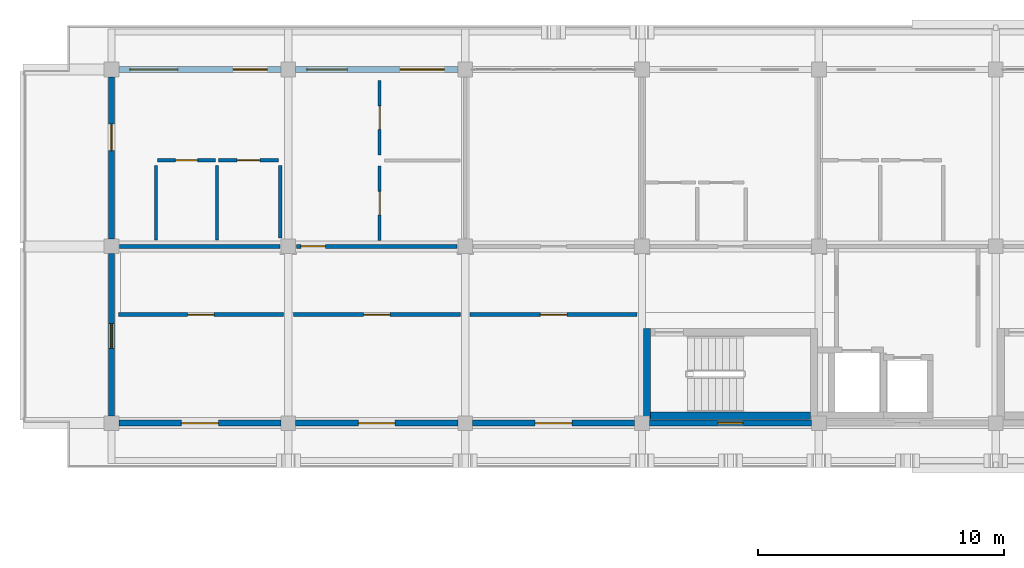
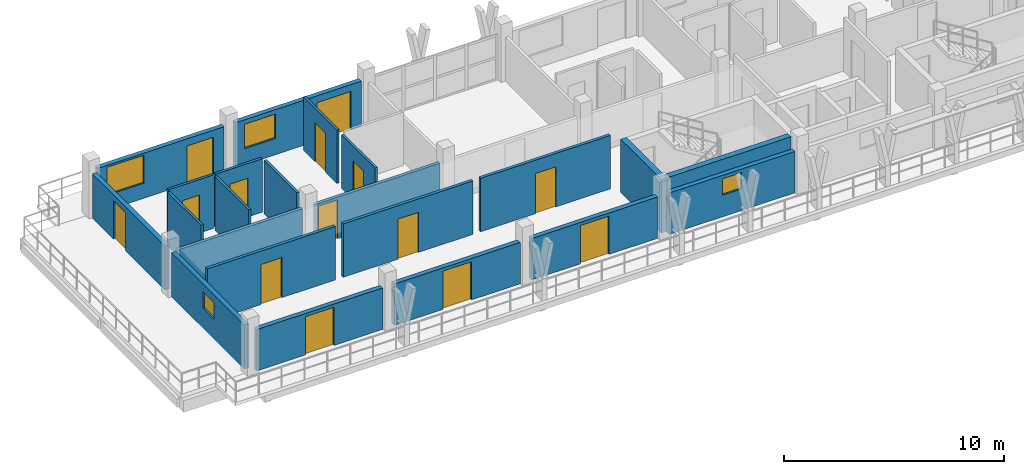
# One storey, part 32 of 56: 22 walls, 14 doors, 4 windows, 18 openings.
"""IFC4 building model written with IfcOpenShell, lengths in metres."""

import ifcopenshell
import ifcopenshell.guid

model = None  # the IFC model being written
_history = None  # IfcOwnerHistory: only IFC2X3 demands one
_inside = {}  # id of a spatial element -> (the spatial element, [elements in it])
_under = {}  # id of a project, library or spatial element -> (it, [spatial elements below it])
_declared = {}  # id of a project -> (the project, [libraries it declares])
_typed = {}  # id of a type object -> (the type object, [elements of that type])
_made_of = {}  # id of a material, layer set ... -> (it, [elements and type objects made of it])


def new_model(schema):
    """Start an empty IFC model of exactly this schema.

    Asked for "IFC4X3", IfcOpenShell would pick the latest addendum, in which some entities
    have other attributes; the version numbers below select the first issue.
    IFC2X3 requires an IfcOwnerHistory on every rooted entity: one is made here for all.
    """
    global model, _history
    if schema == "IFC4X3":
        model = ifcopenshell.file(schema_version=(4, 3, 0, 0))
    else:
        model = ifcopenshell.file(schema=schema)
    _inside.clear()
    _under.clear()
    _declared.clear()
    _typed.clear()
    _made_of.clear()
    _history = None
    if model.schema == "IFC2X3":
        org = make("IfcOrganization", Name="unknown")
        user = make(
            "IfcPersonAndOrganization",
            ThePerson=make("IfcPerson", FamilyName="unknown"),
            TheOrganization=org,
        )
        app = make(
            "IfcApplication",
            ApplicationDeveloper=org,
            Version="unknown",
            ApplicationFullName="unknown",
            ApplicationIdentifier="unknown",
        )
        _history = make(
            "IfcOwnerHistory",
            OwningUser=user,
            OwningApplication=app,
            ChangeAction="ADDED",
            CreationDate=0,
        )
    return model


def make(cls, **values):
    """One entity of the class cls with the attributes given. An attribute that is None is left unset."""
    return model.create_entity(
        cls, **{name: value for name, value in values.items() if value is not None}
    )


def rooted(cls, **values):
    """An entity with a GlobalId (a new one), such as an element, a storey or a relation."""
    return make(cls, GlobalId=ifcopenshell.guid.new(), OwnerHistory=_history, **values)


def si_unit(unit_type, name, prefix=None):
    """IfcSIUnit, for example si_unit("LENGTHUNIT", "METRE", prefix="MILLI")."""
    return make("IfcSIUnit", UnitType=unit_type, Prefix=prefix, Name=name)


def assignment(units):
    """IfcUnitAssignment: the units of a project."""
    return None if units is None else make("IfcUnitAssignment", Units=units)


def point(xyz):
    """IfcCartesianPoint."""
    return None if xyz is None else make("IfcCartesianPoint", Coordinates=xyz)


def direction(xyz):
    """IfcDirection."""
    return None if xyz is None else make("IfcDirection", DirectionRatios=xyz)


def frame(location, z_axis=None, x_axis=None):
    """IfcAxis2Placement3D, a coordinate frame: its origin and axes. An axis left out is left unset."""
    return make(
        "IfcAxis2Placement3D",
        Location=point(location),
        Axis=direction(z_axis),
        RefDirection=direction(x_axis),
    )


def frame_2d(location, x_axis=None):
    """IfcAxis2Placement2D, a coordinate frame in the plane: its origin and x axis."""
    return make(
        "IfcAxis2Placement2D", Location=point(location), RefDirection=direction(x_axis)
    )


def origin():
    """The frame at (0, 0, 0) with its axes left unset."""
    return frame((0.0, 0.0, 0.0))


def place(relative_to, where):
    """IfcLocalPlacement: puts the frame where relative to a parent placement (None: the world)."""
    return make(
        "IfcLocalPlacement", PlacementRelTo=relative_to, RelativePlacement=where
    )


def context(
    kind, dimensions, precision=None, world=None, true_north=None, identifier=None
):
    """IfcGeometricRepresentationContext, for example the 3D "Model" context."""
    return make(
        "IfcGeometricRepresentationContext",
        ContextIdentifier=identifier,
        ContextType=kind,
        CoordinateSpaceDimension=dimensions,
        Precision=precision,
        WorldCoordinateSystem=world,
        TrueNorth=true_north,
    )


def subcontext(parent, identifier, kind, view, scale=None):
    """IfcGeometricRepresentationSubContext, for example "Body" below "Model"."""
    return make(
        "IfcGeometricRepresentationSubContext",
        ContextIdentifier=identifier,
        ContextType=kind,
        ParentContext=parent,
        TargetScale=scale,
        TargetView=view,
    )


def project(units=None, contexts=None):
    """IfcProject with its units and contexts."""
    return rooted(
        "IfcProject",
        Name="project",
        RepresentationContexts=contexts,
        UnitsInContext=assignment(units),
    )


def spatial(cls, under=None, at=None, **own):
    """A site, building, storey or space (cls), placed at a placement, below another one or the project."""
    s = rooted(cls, ObjectPlacement=at, **own)
    if under is not None:
        _under.setdefault(under.id(), (under, []))[1].append(s)
    return s


def profile(cls, at=None, kind="AREA", **sizes):
    """A parametric profile (cls). Its sizes go by their IFC names, for example OverallWidth=200.0."""
    return make(cls, ProfileType=kind, Position=at, **sizes)


def rectangle(**sizes):
    """IfcRectangleProfileDef."""
    return profile("IfcRectangleProfileDef", **sizes)


def extrude(swept, where, along, depth):
    """IfcExtrudedAreaSolid: the profile swept, set in the frame where, extruded along a direction by depth."""
    return make(
        "IfcExtrudedAreaSolid",
        SweptArea=swept,
        Position=where,
        ExtrudedDirection=direction(along),
        Depth=depth,
    )


def shape(context_of_items, identifier, shape_type, items):
    """IfcShapeRepresentation: the items that make up one representation, for example the "Body"."""
    return make(
        "IfcShapeRepresentation",
        ContextOfItems=context_of_items,
        RepresentationIdentifier=identifier,
        RepresentationType=shape_type,
        Items=items,
    )


def material(Name=None, Category=None):
    """IfcMaterial."""
    return make("IfcMaterial", Name=Name, Category=Category)


def layer(
    of_material, thickness, ventilated=None, Name=None, Category=None, Priority=None
):
    """IfcMaterialLayer: one layer of a wall or slab, of a material (None: an air gap)."""
    return make(
        "IfcMaterialLayer",
        Material=of_material,
        LayerThickness=thickness,
        IsVentilated=ventilated,
        Name=Name,
        Category=Category,
        Priority=Priority,
    )


def layer_set(layers, Name=None):
    """IfcMaterialLayerSet."""
    return make("IfcMaterialLayerSet", MaterialLayers=layers, LayerSetName=Name)


def made_of(thing, what):
    """Note that an element or type object is made of a material, layer set ...; save() writes the relation."""
    if what is not None:
        _made_of.setdefault(what.id(), (what, []))[1].append(thing)
    return thing


def type_object(cls, material=None, **own):
    """A type object (cls), such as IfcWallType, which elements share."""
    return made_of(rooted(cls, **own), material)


def element(
    cls,
    number,
    at=None,
    inside=None,
    cuts=None,
    type_object=None,
    material=None,
    context=None,
    identifier="Body",
    shape_type=None,
    held_by="IfcProductDefinitionShape",
    body=None,
    shapes=None,
    **own,
):
    """One element of the class cls, such as IfcWall. Its Tag is "e" and its number.

    at: its placement. inside: the storey or other place that contains it. cuts: it is an
    opening in that element (IfcRelVoidsElement). A single representation is given by context,
    identifier, shape_type and body (its items); several are given by shapes. held_by: the class
    of the entity that holds the representations. save() writes the other relations.
    """
    e = rooted(cls, Tag="e%d" % number, ObjectPlacement=at, **own)
    if body is not None:
        shapes = [shape(context, identifier, shape_type, body)]
    if shapes is not None:
        e.Representation = make(held_by, Representations=shapes)
    if inside is not None:
        _inside.setdefault(inside.id(), (inside, []))[1].append(e)
    if cuts is not None:
        rooted(
            "IfcRelVoidsElement", RelatingBuildingElement=cuts, RelatedOpeningElement=e
        )
    if type_object is not None:
        _typed.setdefault(type_object.id(), (type_object, []))[1].append(e)
    return made_of(e, material)


def fill(opening, filler):
    """IfcRelFillsElement: the door or window that sits in an opening."""
    return rooted(
        "IfcRelFillsElement",
        RelatingOpeningElement=opening,
        RelatedBuildingElement=filler,
    )


def aggregate(whole, parts):
    """IfcRelAggregates: a whole, such as a stair, and the parts it consists of."""
    return rooted("IfcRelAggregates", RelatingObject=whole, RelatedObjects=parts)


def save(model, path):
    """Write the relations noted so far, then the file.

    IfcRelAggregates (storeys below a building ...), IfcRelContainedInSpatialStructure (elements
    in a storey), IfcRelDefinesByType, IfcRelAssociatesMaterial and IfcRelDeclares: one each for
    every whole, place, type object, material and project.
    """
    for whole, parts in _under.values():
        aggregate(whole, parts)
    for where, things in _inside.values():
        rooted(
            "IfcRelContainedInSpatialStructure",
            RelatedElements=things,
            RelatingStructure=where,
        )
    for kind, things in _typed.values():
        rooted("IfcRelDefinesByType", RelatedObjects=things, RelatingType=kind)
    for what, things in _made_of.values():
        rooted("IfcRelAssociatesMaterial", RelatedObjects=things, RelatingMaterial=what)
    for by, libraries in _declared.values():
        rooted("IfcRelDeclares", RelatingContext=by, RelatedDefinitions=libraries)
    model.write(path)


model = new_model("IFC4")

# Units and contexts
model_context = context("Model", 3, precision=1e-05, world=origin(), true_north=direction((0.0, 1.0)))
body_context = subcontext(model_context, "Body", "Model", "MODEL_VIEW")
ifc_project = project(units=[si_unit("LENGTHUNIT", "METRE"), si_unit("AREAUNIT", "SQUARE_METRE"), si_unit("VOLUMEUNIT", "CUBIC_METRE"), si_unit("PLANEANGLEUNIT", "RADIAN"), si_unit("MASSUNIT", "GRAM", prefix="KILO")], contexts=[model_context])

# Site, building, storey
site_placement = place(None, origin())
site = spatial("IfcSite", under=ifc_project, at=site_placement, CompositionType="ELEMENT")
building_placement = place(site_placement, origin())
building = spatial("IfcBuilding", under=site, at=building_placement, Name="Suanplinth Sawtooth Commons", CompositionType="ELEMENT")
storey_placement = place(building_placement, frame((0.0, 0.0, 34.800048828125)))
storey = spatial("IfcBuildingStorey", under=building, at=storey_placement, Name="L10", CompositionType="ELEMENT", Elevation=34.800048828125)

# Walls
ifc_material_1 = material(Name="Concrete C40/50", Category="concrete")
ifc_layer_1 = layer(ifc_material_1, 0.300048828125, Name="Standard RC stair and lift core wall 300mm")
ifc_layer_set_1 = layer_set([ifc_layer_1], Name="Concrete C40/50")
wall_type_1 = type_object("IfcWallType", Name="W-CR02", PredefinedType="SHEAR", material=ifc_layer_set_1)
wall_1_placement = place(storey_placement, frame((43.550048828125, 108.300048828125, 0.0), z_axis=(0.0, 0.0, 1.0), x_axis=(1.0, 0.0, 0.0)))
element("IfcWall", 1, at=wall_1_placement, inside=storey, type_object=wall_type_1, Name="W-L10-C-A1-STS", PredefinedType="SHEAR", context=body_context, shape_type="SweptSolid", body=[
    extrude(rectangle(XDim=6.5, YDim=0.300048828125, at=frame_2d((3.25, 0.0))), origin(), (0.0, 0.0, 1.0), 2.9599609375),
])
wall_2_placement = place(storey_placement, frame((43.39990234375, 108.14990234375, 0.0), z_axis=(0.0, 0.0, 1.0), x_axis=(0.0, 1.0, 0.0)))
element("IfcWall", 2, at=wall_2_placement, inside=storey, type_object=wall_type_1, Name="W-L10-C-A1-STW", PredefinedType="SHEAR", context=body_context, shape_type="SweptSolid", body=[
    extrude(rectangle(XDim=3.7001953125, YDim=0.300048828125, at=frame_2d((1.85009765625, 0.0))), origin(), (0.0, 0.0, 1.0), 2.9599609375),
])

# Wall, openings, door, window
ifc_material_2 = material(Name="Precast concrete C40/50", Category="concrete")
ifc_layer_2 = layer(ifc_material_2, 0.239990234375, Name="Upper insulated precast facade wall 240mm")
ifc_layer_set_2 = layer_set([ifc_layer_2], Name="Precast concrete C40/50")
wall_type_2 = type_object("IfcWallType", Name="W-EX03", PredefinedType="ELEMENTEDWALL", material=ifc_layer_set_2)
wall_3_placement = place(storey_placement, frame((21.89990234375, 122.39990234375, 0.0), z_axis=(0.0, 0.0, 1.0), x_axis=(1.0, 0.0, 0.0)))
wall_3 = element("IfcWall", 3, at=wall_3_placement, inside=storey, type_object=wall_type_2, Name="Facade Wall W-L10-A-N-0", PredefinedType="ELEMENTEDWALL", context=body_context, shape_type="SweptSolid", body=[
    extrude(rectangle(XDim=6.60009765625, YDim=0.239990234375, at=frame_2d((3.300048828125, 0.0))), origin(), (0.0, 0.0, 1.0), 2.494873046875),
])
opening_1_placement = place(wall_3_placement, frame((4.64990234375, 0.0, 0.0)))
opening_1 = element("IfcOpeningElement", 4, at=opening_1_placement, cuts=wall_3, Name="Opening ED0735", PredefinedType="OPENING", context=body_context, shape_type="SweptSolid", body=[
    extrude(rectangle(XDim=1.39990234375, YDim=2.10009765625, at=frame_2d((0.699951171875, 1.050048828125))), frame((0.0, 0.134765625, 0.0), z_axis=(0.0, -1.0, 0.0), x_axis=(1.0, 0.0, 0.0)), (0.0, 0.0, 1.0), 0.269775390625),
])
opening_2_placement = place(wall_3_placement, frame((0.449951171875, 0.0, 0.8349609375)))
opening_2 = element("IfcOpeningElement", 5, at=opening_2_placement, cuts=wall_3, Name="Opening W0817", PredefinedType="OPENING", context=body_context, shape_type="SweptSolid", body=[
    extrude(rectangle(XDim=1.949951171875, YDim=1.550048828125, at=frame_2d((0.97509765625, 0.77490234375))), frame((0.0, 0.134765625, 0.0), z_axis=(0.0, -1.0, 0.0), x_axis=(1.0, 0.0, 0.0)), (0.0, 0.0, 1.0), 0.269775390625),
])
ifc_material_3 = material(Name="Anodized aluminium and low-E glass", Category="aluminium")
door_type_1 = type_object("IfcDoorType", Name="SD-07", OperationType="SLIDING_TO_RIGHT", PredefinedType="DOOR", material=ifc_material_3)
door_1_placement = place(opening_1_placement, frame((1.39990234375, 0.0, 0.0), z_axis=(0.0, 0.0, 1.0), x_axis=(-1.0, 0.0, 0.0)))
door_1 = element("IfcDoor", 6, at=door_1_placement, inside=storey, type_object=door_type_1, Name="Balcony Sliding Door L10-A-N-0", OperationType="SLIDING_TO_RIGHT", OverallHeight=2.10009765625, OverallWidth=1.39990234375, PredefinedType="DOOR", context=body_context, shape_type="SweptSolid", body=[
    extrude(rectangle(XDim=1.39990234375, YDim=2.10009765625, at=frame_2d((0.699951171875, 1.050048828125))), frame((0.0, 0.02490234375, 0.0), z_axis=(0.0, -1.0, 0.0), x_axis=(1.0, 0.0, 0.0)), (0.0, 0.0, 1.0), 0.050048828125),
])
fill(opening_1, door_1)
ifc_material_4 = material(Name="Thermally broken aluminium and low-E double glazing", Category="aluminium")
window_type_1 = type_object("IfcWindowType", Name="WN-18", PartitioningType="DOUBLE_PANEL_VERTICAL", PredefinedType="WINDOW", material=ifc_material_4)
window_1_placement = place(opening_2_placement, origin())
window_1 = element("IfcWindow", 7, at=window_1_placement, inside=storey, type_object=window_type_1, Name="Window L10-A-N-0", OverallHeight=1.550048828125, OverallWidth=1.949951171875, PartitioningType="DOUBLE_PANEL_VERTICAL", PredefinedType="WINDOW", context=body_context, shape_type="SweptSolid", body=[
    extrude(rectangle(XDim=1.949951171875, YDim=1.550048828125, at=frame_2d((0.97509765625, 0.77490234375))), frame((0.0, 0.030029296875, 0.0), z_axis=(0.0, -1.0, 0.0), x_axis=(1.0, 0.0, 0.0)), (0.0, 0.0, 1.0), 0.06005859375),
])
fill(opening_2, window_1)

# Wall, opening, door
wall_4_placement = place(storey_placement, frame((21.89990234375, 108.0, 0.0), z_axis=(0.0, 0.0, 1.0), x_axis=(1.0, 0.0, 0.0)))
wall_4 = element("IfcWall", 8, at=wall_4_placement, inside=storey, type_object=wall_type_2, Name="Courtyard Wall W-L10-A-S-0", PredefinedType="ELEMENTEDWALL", context=body_context, shape_type="SweptSolid", body=[
    extrude(rectangle(XDim=6.60009765625, YDim=0.239990234375, at=frame_2d((3.300048828125, 0.0))), origin(), (0.0, 0.0, 1.0), 2.294921875),
])
opening_3_placement = place(wall_4_placement, frame((2.550048828125, 0.0, 0.0)))
opening_3 = element("IfcOpeningElement", 9, at=opening_3_placement, cuts=wall_4, Name="Opening ED0736", PredefinedType="OPENING", context=body_context, shape_type="SweptSolid", body=[
    extrude(rectangle(XDim=1.5, YDim=2.1201171875, at=frame_2d((0.75, 1.06005859375))), frame((0.0, 0.134765625, 0.0), z_axis=(0.0, -1.0, 0.0), x_axis=(1.0, 0.0, 0.0)), (0.0, 0.0, 1.0), 0.269775390625),
])
door_type_2 = type_object("IfcDoorType", Name="SD-03", OperationType="SLIDING_TO_LEFT", PredefinedType="DOOR", material=ifc_material_3)
door_2_placement = place(opening_3_placement, frame((1.5, 0.0, 0.0), z_axis=(0.0, 0.0, 1.0), x_axis=(-1.0, 0.0, 0.0)))
door_2 = element("IfcDoor", 10, at=door_2_placement, inside=storey, type_object=door_type_2, Name="Courtyard Balcony Sliding Door L10-A-S-0", OperationType="SLIDING_TO_LEFT", OverallHeight=2.1201171875, OverallWidth=1.5, PredefinedType="DOOR", context=body_context, shape_type="SweptSolid", body=[
    extrude(rectangle(XDim=1.5, YDim=2.1201171875, at=frame_2d((0.75, 1.06005859375))), frame((0.0, 0.02490234375, 0.0), z_axis=(0.0, -1.0, 0.0), x_axis=(1.0, 0.0, 0.0)), (0.0, 0.0, 1.0), 0.050048828125),
])
fill(opening_3, door_2)

# Wall, openings, door, window
wall_5_placement = place(storey_placement, frame((29.10009765625, 122.39990234375, 0.0), z_axis=(0.0, 0.0, 1.0), x_axis=(1.0, 0.0, 0.0)))
wall_5 = element("IfcWall", 11, at=wall_5_placement, inside=storey, type_object=wall_type_2, Name="Facade Wall W-L10-A-N-1", PredefinedType="ELEMENTEDWALL", context=body_context, shape_type="SweptSolid", body=[
    extrude(rectangle(XDim=6.599853515625, YDim=0.239990234375, at=frame_2d((3.2998046875, 0.0))), origin(), (0.0, 0.0, 1.0), 2.494873046875),
])
opening_4_placement = place(wall_5_placement, frame((4.25, 0.0, 0.0)))
opening_4 = element("IfcOpeningElement", 12, at=opening_4_placement, cuts=wall_5, Name="Opening ED0737", PredefinedType="OPENING", context=body_context, shape_type="SweptSolid", body=[
    extrude(rectangle(XDim=1.800048828125, YDim=2.1201171875, at=frame_2d((0.89990234375, 1.06005859375))), frame((0.0, 0.134765625, 0.0), z_axis=(0.0, -1.0, 0.0), x_axis=(1.0, 0.0, 0.0)), (0.0, 0.0, 1.0), 0.269775390625),
])
opening_5_placement = place(wall_5_placement, frame((0.449951171875, 0.0, 0.89990234375)))
opening_5 = element("IfcOpeningElement", 13, at=opening_5_placement, cuts=wall_5, Name="Opening W0818", PredefinedType="OPENING", context=body_context, shape_type="SweptSolid", body=[
    extrude(rectangle(XDim=1.64990234375, YDim=1.35009765625, at=frame_2d((0.824951171875, 0.675048828125))), frame((0.0, 0.134765625, 0.0), z_axis=(0.0, -1.0, 0.0), x_axis=(1.0, 0.0, 0.0)), (0.0, 0.0, 1.0), 0.269775390625),
])
door_type_3 = type_object("IfcDoorType", Name="SD-01", OperationType="SLIDING_TO_LEFT", PredefinedType="DOOR", material=ifc_material_3)
door_3_placement = place(opening_4_placement, frame((1.800048828125, 0.0, 0.0), z_axis=(0.0, 0.0, 1.0), x_axis=(-1.0, 0.0, 0.0)))
door_3 = element("IfcDoor", 14, at=door_3_placement, inside=storey, type_object=door_type_3, Name="Balcony Sliding Door L10-A-N-1", OperationType="SLIDING_TO_LEFT", OverallHeight=2.1201171875, OverallWidth=1.800048828125, PredefinedType="DOOR", context=body_context, shape_type="SweptSolid", body=[
    extrude(rectangle(XDim=1.800048828125, YDim=2.1201171875, at=frame_2d((0.89990234375, 1.06005859375))), frame((0.0, 0.02490234375, 0.0), z_axis=(0.0, -1.0, 0.0), x_axis=(1.0, 0.0, 0.0)), (0.0, 0.0, 1.0), 0.050048828125),
])
fill(opening_4, door_3)
window_type_2 = type_object("IfcWindowType", Name="WN-19", PartitioningType="DOUBLE_PANEL_VERTICAL", PredefinedType="WINDOW", material=ifc_material_4)
window_2_placement = place(opening_5_placement, origin())
window_2 = element("IfcWindow", 15, at=window_2_placement, inside=storey, type_object=window_type_2, Name="Window L10-A-N-1", OverallHeight=1.35009765625, OverallWidth=1.64990234375, PartitioningType="DOUBLE_PANEL_VERTICAL", PredefinedType="WINDOW", context=body_context, shape_type="SweptSolid", body=[
    extrude(rectangle(XDim=1.64990234375, YDim=1.35009765625, at=frame_2d((0.824951171875, 0.675048828125))), frame((0.0, 0.030029296875, 0.0), z_axis=(0.0, -1.0, 0.0), x_axis=(1.0, 0.0, 0.0)), (0.0, 0.0, 1.0), 0.06005859375),
])
fill(opening_5, window_2)

# Wall, opening, door
wall_6_placement = place(storey_placement, frame((29.10009765625, 108.0, 0.0), z_axis=(0.0, 0.0, 1.0), x_axis=(1.0, 0.0, 0.0)))
wall_6 = element("IfcWall", 16, at=wall_6_placement, inside=storey, type_object=wall_type_2, Name="Courtyard Wall W-L10-A-S-1", PredefinedType="ELEMENTEDWALL", context=body_context, shape_type="SweptSolid", body=[
    extrude(rectangle(XDim=6.599853515625, YDim=0.239990234375, at=frame_2d((3.2998046875, 0.0))), origin(), (0.0, 0.0, 1.0), 2.294921875),
])
opening_6_placement = place(wall_6_placement, frame((2.550048828125, 0.0, 0.0)))
opening_6 = element("IfcOpeningElement", 17, at=opening_6_placement, cuts=wall_6, Name="Opening ED0738", PredefinedType="OPENING", context=body_context, shape_type="SweptSolid", body=[
    extrude(rectangle(XDim=1.5, YDim=2.1201171875, at=frame_2d((0.75, 1.06005859375))), frame((0.0, 0.134765625, 0.0), z_axis=(0.0, -1.0, 0.0), x_axis=(1.0, 0.0, 0.0)), (0.0, 0.0, 1.0), 0.269775390625),
])
door_4_placement = place(opening_6_placement, frame((1.5, 0.0, 0.0), z_axis=(0.0, 0.0, 1.0), x_axis=(-1.0, 0.0, 0.0)))
door_4 = element("IfcDoor", 18, at=door_4_placement, inside=storey, type_object=door_type_2, Name="Courtyard Balcony Sliding Door L10-A-S-1", OperationType="SLIDING_TO_LEFT", OverallHeight=2.1201171875, OverallWidth=1.5, PredefinedType="DOOR", context=body_context, shape_type="SweptSolid", body=[
    extrude(rectangle(XDim=1.5, YDim=2.1201171875, at=frame_2d((0.75, 1.06005859375))), frame((0.0, 0.02490234375, 0.0), z_axis=(0.0, -1.0, 0.0), x_axis=(1.0, 0.0, 0.0)), (0.0, 0.0, 1.0), 0.050048828125),
])
fill(opening_6, door_4)

wall_7_placement = place(storey_placement, frame((36.300048828125, 108.0, 0.0), z_axis=(0.0, 0.0, 1.0), x_axis=(1.0, 0.0, 0.0)))
wall_7 = element("IfcWall", 19, at=wall_7_placement, inside=storey, type_object=wall_type_2, Name="Courtyard Wall W-L10-A-S-2", PredefinedType="ELEMENTEDWALL", context=body_context, shape_type="SweptSolid", body=[
    extrude(rectangle(XDim=6.599853515625, YDim=0.239990234375, at=frame_2d((3.2998046875, 0.0))), origin(), (0.0, 0.0, 1.0), 2.294921875),
])
opening_7_placement = place(wall_7_placement, frame((2.550048828125, 0.0, 0.0)))
opening_7 = element("IfcOpeningElement", 20, at=opening_7_placement, cuts=wall_7, Name="Opening ED0739", PredefinedType="OPENING", context=body_context, shape_type="SweptSolid", body=[
    extrude(rectangle(XDim=1.5, YDim=2.1201171875, at=frame_2d((0.75, 1.06005859375))), frame((0.0, 0.134765625, 0.0), z_axis=(0.0, -1.0, 0.0), x_axis=(1.0, 0.0, 0.0)), (0.0, 0.0, 1.0), 0.269775390625),
])
door_5_placement = place(opening_7_placement, frame((1.5, 0.0, 0.0), z_axis=(0.0, 0.0, 1.0), x_axis=(-1.0, 0.0, 0.0)))
door_5 = element("IfcDoor", 21, at=door_5_placement, inside=storey, type_object=door_type_2, Name="Courtyard Balcony Sliding Door L10-A-S-2", OperationType="SLIDING_TO_LEFT", OverallHeight=2.1201171875, OverallWidth=1.5, PredefinedType="DOOR", context=body_context, shape_type="SweptSolid", body=[
    extrude(rectangle(XDim=1.5, YDim=2.1201171875, at=frame_2d((0.75, 1.06005859375))), frame((0.0, 0.02490234375, 0.0), z_axis=(0.0, -1.0, 0.0), x_axis=(1.0, 0.0, 0.0)), (0.0, 0.0, 1.0), 0.050048828125),
])
fill(opening_7, door_5)

# Wall, opening, window
wall_8_placement = place(storey_placement, frame((43.5, 108.0, 0.0), z_axis=(0.0, 0.0, 1.0), x_axis=(1.0, 0.0, 0.0)))
wall_8 = element("IfcWall", 22, at=wall_8_placement, inside=storey, type_object=wall_type_2, Name="Courtyard Wall W-L10-A-S-3", PredefinedType="ELEMENTEDWALL", context=body_context, shape_type="SweptSolid", body=[
    extrude(rectangle(XDim=6.60009765625, YDim=0.239990234375, at=frame_2d((3.300048828125, 0.0))), origin(), (0.0, 0.0, 1.0), 2.294921875),
])
opening_8_placement = place(wall_8_placement, frame((2.800048828125, 0.0, 1.199951171875)))
opening_8 = element("IfcOpeningElement", 23, at=opening_8_placement, cuts=wall_8, Name="Opening W0820", PredefinedType="OPENING", context=body_context, shape_type="SweptSolid", body=[
    extrude(rectangle(XDim=1.0, YDim=0.89990234375, at=frame_2d((0.5, 0.449951171875))), frame((0.0, 0.134765625, 0.0), z_axis=(0.0, -1.0, 0.0), x_axis=(1.0, 0.0, 0.0)), (0.0, 0.0, 1.0), 0.269775390625),
])
window_type_3 = type_object("IfcWindowType", Name="WN-12", PartitioningType="SINGLE_PANEL", PredefinedType="WINDOW", material=ifc_material_4)
window_3_placement = place(opening_8_placement, origin())
window_3 = element("IfcWindow", 24, at=window_3_placement, inside=storey, type_object=window_type_3, Name="Core Daylight Window L10-A-3", OverallHeight=0.89990234375, OverallWidth=1.0, PartitioningType="SINGLE_PANEL", PredefinedType="WINDOW", context=body_context, shape_type="SweptSolid", body=[
    extrude(rectangle(XDim=1.0, YDim=0.89990234375, at=frame_2d((0.5, 0.449951171875))), frame((0.0, 0.030029296875, 0.0), z_axis=(0.0, -1.0, 0.0), x_axis=(1.0, 0.0, 0.0)), (0.0, 0.0, 1.0), 0.06005859375),
])
fill(opening_8, window_3)

ifc_layer_3 = layer(ifc_material_2, 0.22998046875, Name="Stepped terrace insulated precast wall 230mm")
ifc_layer_set_3 = layer_set([ifc_layer_3], Name="Precast concrete C40/50")
wall_type_3 = type_object("IfcWallType", Name="W-EX06", PredefinedType="ELEMENTEDWALL", material=ifc_layer_set_3)
wall_9_placement = place(storey_placement, frame((21.60009765625, 108.300048828125, 0.0), z_axis=(0.0, 0.0, 1.0), x_axis=(0.0, 1.0, 0.0)))
wall_9 = element("IfcWall", 25, at=wall_9_placement, inside=storey, type_object=wall_type_3, Name="End Wall W-L10-A-W-15", PredefinedType="ELEMENTEDWALL", context=body_context, shape_type="SweptSolid", body=[
    extrude(rectangle(XDim=6.599853515625, YDim=0.22998046875, at=frame_2d((3.2998046875, 0.0))), origin(), (0.0, 0.0, 1.0), 2.445068359375),
])
opening_9_placement = place(wall_9_placement, frame((2.75, 0.0, 1.10009765625)))
opening_9 = element("IfcOpeningElement", 26, at=opening_9_placement, cuts=wall_9, Name="Opening W0828", PredefinedType="OPENING", context=body_context, shape_type="SweptSolid", body=[
    extrude(rectangle(XDim=1.0, YDim=0.89990234375, at=frame_2d((0.5, 0.449951171875))), frame((0.0, 0.1298828125, 0.0), z_axis=(0.0, -1.0, 0.0), x_axis=(1.0, 0.0, 0.0)), (0.0, 0.0, 1.0), 0.259765625),
])
window_4_placement = place(opening_9_placement, origin())
window_4 = element("IfcWindow", 27, at=window_4_placement, inside=storey, type_object=window_type_3, Name="End Window L10-A-W-15", OverallHeight=0.89990234375, OverallWidth=1.0, PartitioningType="SINGLE_PANEL", PredefinedType="WINDOW", context=body_context, shape_type="SweptSolid", body=[
    extrude(rectangle(XDim=1.0, YDim=0.89990234375, at=frame_2d((0.5, 0.449951171875))), frame((0.0, 0.030029296875, 0.0), z_axis=(0.0, -1.0, 0.0), x_axis=(1.0, 0.0, 0.0)), (0.0, 0.0, 1.0), 0.06005859375),
])
fill(opening_9, window_4)

# Wall, opening, door
wall_10_placement = place(storey_placement, frame((21.60009765625, 115.5, 0.0), z_axis=(0.0, 0.0, 1.0), x_axis=(0.0, 1.0, 0.0)))
wall_10 = element("IfcWall", 28, at=wall_10_placement, inside=storey, type_object=wall_type_3, Name="End Wall W-L10-A-W-16", PredefinedType="ELEMENTEDWALL", context=body_context, shape_type="SweptSolid", body=[
    extrude(rectangle(XDim=6.60009765625, YDim=0.22998046875, at=frame_2d((3.300048828125, 0.0))), origin(), (0.0, 0.0, 1.0), 2.445068359375),
])
opening_10_placement = place(wall_10_placement, frame((3.60009765625, 0.0, 0.0)))
opening_10 = element("IfcOpeningElement", 29, at=opening_10_placement, cuts=wall_10, Name="Opening ED0748", PredefinedType="OPENING", context=body_context, shape_type="SweptSolid", body=[
    extrude(rectangle(XDim=1.080078125, YDim=2.1201171875, at=frame_2d((0.5400390625, 1.06005859375))), frame((0.0, 0.1298828125, 0.0), z_axis=(0.0, -1.0, 0.0), x_axis=(1.0, 0.0, 0.0)), (0.0, 0.0, 1.0), 0.259765625),
])
door_type_4 = type_object("IfcDoorType", Name="ED-10", OperationType="NOTDEFINED", PredefinedType="DOOR", material=ifc_material_3)
door_6_placement = place(opening_10_placement, frame((1.080078125, 0.0, 0.0), z_axis=(0.0, 0.0, 1.0), x_axis=(-1.0, 0.0, 0.0)))
door_6 = element("IfcDoor", 30, at=door_6_placement, inside=storey, type_object=door_type_4, Name="L10 Block A W Stepped Terrace Door", OperationType="SINGLE_SWING_RIGHT", OverallHeight=2.1201171875, OverallWidth=1.080078125, PredefinedType="DOOR", context=body_context, shape_type="SweptSolid", body=[
    extrude(rectangle(XDim=1.080078125, YDim=2.1201171875, at=frame_2d((0.5400390625, 1.06005859375))), frame((0.0, 0.02490234375, 0.0), z_axis=(0.0, -1.0, 0.0), x_axis=(1.0, 0.0, 0.0)), (0.0, 0.0, 1.0), 0.050048828125),
])
fill(opening_10, door_6)

# Wall
ifc_layer_4 = layer(ifc_material_2, 0.159912109375, Name="Fire-rated corridor and lobby wall 160mm")
ifc_layer_set_4 = layer_set([ifc_layer_4], Name="Precast concrete C40/50")
wall_type_4 = type_object("IfcWallType", Name="W-FW01", PredefinedType="PARTITIONING", material=ifc_layer_set_4)
wall_11_placement = place(storey_placement, frame((21.929931640625, 115.199951171875, 0.0), z_axis=(0.0, 0.0, 1.0), x_axis=(1.0, 0.0, 0.0)))
element("IfcWall", 31, at=wall_11_placement, inside=storey, type_object=wall_type_4, Name="W-A-L10-U01-COR-S1", PredefinedType="PARTITIONING", context=body_context, shape_type="SweptSolid", body=[
    extrude(rectangle(XDim=6.5400390625, YDim=0.159912109375, at=frame_2d((3.27001953125, 0.0))), origin(), (0.0, 0.0, 1.0), 2.294921875),
])

# Wall, opening, door
wall_12_placement = place(storey_placement, frame((29.1298828125, 115.199951171875, 0.0), z_axis=(0.0, 0.0, 1.0), x_axis=(1.0, 0.0, 0.0)))
wall_12 = element("IfcWall", 32, at=wall_12_placement, inside=storey, type_object=wall_type_4, Name="W-A-L10-U01-COR-S2", PredefinedType="PARTITIONING", context=body_context, shape_type="SweptSolid", body=[
    extrude(rectangle(XDim=6.5400390625, YDim=0.159912109375, at=frame_2d((3.27001953125, 0.0))), origin(), (0.0, 0.0, 1.0), 2.294921875),
])
opening_11_placement = place(wall_12_placement, frame((0.179931640625, 0.0, 0.0)))
opening_11 = element("IfcOpeningElement", 33, at=opening_11_placement, cuts=wall_12, Name="Opening FD1846", PredefinedType="OPENING", context=body_context, shape_type="SweptSolid", body=[
    extrude(rectangle(XDim=1.0, YDim=2.14990234375, at=frame_2d((0.5, 1.074951171875))), frame((0.0, 0.0947265625, 0.0), z_axis=(0.0, -1.0, 0.0), x_axis=(1.0, 0.0, 0.0)), (0.0, 0.0, 1.0), 0.189697265625),
])
ifc_material_5 = material(Name="Teak hardwood fire-rated door assembly", Category="wood")
door_type_5 = type_object("IfcDoorType", Name="FD-03", OperationType="NOTDEFINED", PredefinedType="DOOR", material=ifc_material_5)
door_7_placement = place(opening_11_placement, origin())
door_7 = element("IfcDoor", 34, at=door_7_placement, inside=storey, type_object=door_type_5, Name="Unit Entrance Door FD1846", OperationType="SINGLE_SWING_RIGHT", OverallHeight=2.14990234375, OverallWidth=1.0, PredefinedType="DOOR", context=body_context, shape_type="SweptSolid", body=[
    extrude(rectangle(XDim=1.0, YDim=2.14990234375, at=frame_2d((0.5, 1.074951171875))), frame((0.0, 0.02490234375, 0.0), z_axis=(0.0, -1.0, 0.0), x_axis=(1.0, 0.0, 0.0)), (0.0, 0.0, 1.0), 0.050048828125),
])
fill(opening_11, door_7)

wall_13_placement = place(storey_placement, frame((21.8798828125, 112.419921875, 0.0), z_axis=(0.0, 0.0, 1.0), x_axis=(1.0, 0.0, 0.0)))
wall_13 = element("IfcWall", 35, at=wall_13_placement, inside=storey, type_object=wall_type_4, Name="W-A-L10-COURTROOM-8-COR", PredefinedType="PARTITIONING", context=body_context, shape_type="SweptSolid", body=[
    extrude(rectangle(XDim=6.72021484375, YDim=0.159912109375, at=frame_2d((3.360107421875, 0.0))), origin(), (0.0, 0.0, 1.0), 2.9599609375),
])
opening_12_placement = place(wall_13_placement, frame((2.820068359375, 0.0, 0.0)))
opening_12 = element("IfcOpeningElement", 36, at=opening_12_placement, cuts=wall_13, Name="Opening D1872", PredefinedType="OPENING", context=body_context, shape_type="SweptSolid", body=[
    extrude(rectangle(XDim=1.080078125, YDim=2.219970703125, at=frame_2d((0.5400390625, 1.10986328125))), frame((0.0, 0.0947265625, 0.0), z_axis=(0.0, -1.0, 0.0), x_axis=(1.0, 0.0, 0.0)), (0.0, 0.0, 1.0), 0.189697265625),
])
ifc_material_6 = material(Name="Teak hardwood", Category="wood")
door_type_6 = type_object("IfcDoorType", Name="D-17", OperationType="NOTDEFINED", PredefinedType="DOOR", material=ifc_material_6)
door_8_placement = place(opening_12_placement, frame((1.080078125, 0.0, 0.0), z_axis=(0.0, 0.0, 1.0), x_axis=(-1.0, 0.0, 0.0)))
door_8 = element("IfcDoor", 37, at=door_8_placement, inside=storey, type_object=door_type_6, Name="Study Studio Door D1872", OperationType="SINGLE_SWING_RIGHT", OverallHeight=2.219970703125, OverallWidth=1.080078125, PredefinedType="DOOR", context=body_context, shape_type="SweptSolid", body=[
    extrude(rectangle(XDim=1.080078125, YDim=2.219970703125, at=frame_2d((0.5400390625, 1.10986328125))), frame((0.0, 0.02490234375, 0.0), z_axis=(0.0, -1.0, 0.0), x_axis=(1.0, 0.0, 0.0)), (0.0, 0.0, 1.0), 0.050048828125),
])
fill(opening_12, door_8)

wall_14_placement = place(storey_placement, frame((29.0, 112.419921875, 0.0), z_axis=(0.0, 0.0, 1.0), x_axis=(1.0, 0.0, 0.0)))
wall_14 = element("IfcWall", 38, at=wall_14_placement, inside=storey, type_object=wall_type_4, Name="W-A-L10-COURTROOM-9-COR", PredefinedType="PARTITIONING", context=body_context, shape_type="SweptSolid", body=[
    extrude(rectangle(XDim=6.800048828125, YDim=0.159912109375, at=frame_2d((3.39990234375, 0.0))), origin(), (0.0, 0.0, 1.0), 2.9599609375),
])
opening_13_placement = place(wall_14_placement, frame((2.860107421875, 0.0, 0.0)))
opening_13 = element("IfcOpeningElement", 39, at=opening_13_placement, cuts=wall_14, Name="Opening D1873", PredefinedType="OPENING", context=body_context, shape_type="SweptSolid", body=[
    extrude(rectangle(XDim=1.080078125, YDim=2.219970703125, at=frame_2d((0.5400390625, 1.10986328125))), frame((0.0, 0.0947265625, 0.0), z_axis=(0.0, -1.0, 0.0), x_axis=(1.0, 0.0, 0.0)), (0.0, 0.0, 1.0), 0.189697265625),
])
door_9_placement = place(opening_13_placement, frame((1.080078125, 0.0, 0.0), z_axis=(0.0, 0.0, 1.0), x_axis=(-1.0, 0.0, 0.0)))
door_9 = element("IfcDoor", 40, at=door_9_placement, inside=storey, type_object=door_type_6, Name="Study Studio Door D1873", OperationType="SINGLE_SWING_LEFT", OverallHeight=2.219970703125, OverallWidth=1.080078125, PredefinedType="DOOR", context=body_context, shape_type="SweptSolid", body=[
    extrude(rectangle(XDim=1.080078125, YDim=2.219970703125, at=frame_2d((0.5400390625, 1.10986328125))), frame((0.0, 0.02490234375, 0.0), z_axis=(0.0, -1.0, 0.0), x_axis=(1.0, 0.0, 0.0)), (0.0, 0.0, 1.0), 0.050048828125),
])
fill(opening_13, door_9)

wall_15_placement = place(storey_placement, frame((36.199951171875, 112.419921875, 0.0), z_axis=(0.0, 0.0, 1.0), x_axis=(1.0, 0.0, 0.0)))
wall_15 = element("IfcWall", 41, at=wall_15_placement, inside=storey, type_object=wall_type_4, Name="W-A-L10-COURTROOM-10-COR", PredefinedType="PARTITIONING", context=body_context, shape_type="SweptSolid", body=[
    extrude(rectangle(XDim=6.800048828125, YDim=0.159912109375, at=frame_2d((3.39990234375, 0.0))), origin(), (0.0, 0.0, 1.0), 2.9599609375),
])
opening_14_placement = place(wall_15_placement, frame((2.860107421875, 0.0, 0.0)))
opening_14 = element("IfcOpeningElement", 42, at=opening_14_placement, cuts=wall_15, Name="Opening D1874", PredefinedType="OPENING", context=body_context, shape_type="SweptSolid", body=[
    extrude(rectangle(XDim=1.080078125, YDim=2.219970703125, at=frame_2d((0.5400390625, 1.10986328125))), frame((0.0, 0.0947265625, 0.0), z_axis=(0.0, -1.0, 0.0), x_axis=(1.0, 0.0, 0.0)), (0.0, 0.0, 1.0), 0.189697265625),
])
door_10_placement = place(opening_14_placement, frame((1.080078125, 0.0, 0.0), z_axis=(0.0, 0.0, 1.0), x_axis=(-1.0, 0.0, 0.0)))
door_10 = element("IfcDoor", 43, at=door_10_placement, inside=storey, type_object=door_type_6, Name="Study Studio Door D1874", OperationType="SINGLE_SWING_RIGHT", OverallHeight=2.219970703125, OverallWidth=1.080078125, PredefinedType="DOOR", context=body_context, shape_type="SweptSolid", body=[
    extrude(rectangle(XDim=1.080078125, YDim=2.219970703125, at=frame_2d((0.5400390625, 1.10986328125))), frame((0.0, 0.02490234375, 0.0), z_axis=(0.0, -1.0, 0.0), x_axis=(1.0, 0.0, 0.0)), (0.0, 0.0, 1.0), 0.050048828125),
])
fill(opening_14, door_10)

ifc_material_7 = material(Name="Gypsum plasterboard on steel stud", Category="steel")
ifc_layer_5 = layer(ifc_material_7, 0.139892578125, Name="Fire-rated kitchen partition 140mm")
ifc_layer_set_5 = layer_set([ifc_layer_5], Name="Gypsum plasterboard on steel stud")
wall_type_5 = type_object("IfcWallType", Name="W-PT01", PredefinedType="PARTITIONING", material=ifc_layer_set_5)
wall_16_placement = place(storey_placement, frame((25.949951171875, 118.7099609375, 0.0), z_axis=(0.0, 0.0, 1.0), x_axis=(1.0, 0.0, 0.0)))
wall_16 = element("IfcWall", 44, at=wall_16_placement, inside=storey, type_object=wall_type_5, Name="W-A-L10-U01-KIT1", PredefinedType="PARTITIONING", context=body_context, shape_type="SweptSolid", body=[
    extrude(rectangle(XDim=2.449951171875, YDim=0.139892578125, at=frame_2d((1.22509765625, 0.0))), origin(), (0.0, 0.0, 1.0), 2.9599609375),
])
opening_15_placement = place(wall_16_placement, frame((0.760009765625, 0.0, 0.0)))
opening_15 = element("IfcOpeningElement", 45, at=opening_15_placement, cuts=wall_16, Name="Opening D1848", PredefinedType="OPENING", context=body_context, shape_type="SweptSolid", body=[
    extrude(rectangle(XDim=0.929931640625, YDim=2.139892578125, at=frame_2d((0.46484375, 1.06982421875))), frame((0.0, 0.0849609375, 0.0), z_axis=(0.0, -1.0, 0.0), x_axis=(1.0, 0.0, 0.0)), (0.0, 0.0, 1.0), 0.169677734375),
])
door_type_7 = type_object("IfcDoorType", Name="D-19", OperationType="NOTDEFINED", PredefinedType="DOOR", material=ifc_material_6)
door_11_placement = place(opening_15_placement, frame((0.929931640625, 0.0, 0.0), z_axis=(0.0, 0.0, 1.0), x_axis=(-1.0, 0.0, 0.0)))
door_11 = element("IfcDoor", 46, at=door_11_placement, inside=storey, type_object=door_type_7, Name="Kitchen Door D1848", OperationType="SINGLE_SWING_RIGHT", OverallHeight=2.139892578125, OverallWidth=0.929931640625, PredefinedType="DOOR", context=body_context, shape_type="SweptSolid", body=[
    extrude(rectangle(XDim=0.929931640625, YDim=2.139892578125, at=frame_2d((0.46484375, 1.06982421875))), frame((0.0, 0.02490234375, 0.0), z_axis=(0.0, -1.0, 0.0), x_axis=(1.0, 0.0, 0.0)), (0.0, 0.0, 1.0), 0.050048828125),
])
fill(opening_15, door_11)

# Wall
wall_17_placement = place(storey_placement, frame((28.469970703125, 115.530029296875, 0.0), z_axis=(0.0, 0.0, 1.0), x_axis=(0.0, 1.0, 0.0)))
element("IfcWall", 47, at=wall_17_placement, inside=storey, type_object=wall_type_5, Name="W-A-L10-U01-KIT2", PredefinedType="PARTITIONING", context=body_context, shape_type="SweptSolid", body=[
    extrude(rectangle(XDim=2.9599609375, YDim=0.139892578125, at=frame_2d((1.47998046875, 0.0))), origin(), (0.0, 0.0, 1.0), 2.9599609375),
])

# Wall, opening, door
ifc_layer_6 = layer(ifc_material_7, 0.1298828125, Name="Moisture-resistant bathroom partition 130mm")
ifc_layer_set_6 = layer_set([ifc_layer_6], Name="Gypsum plasterboard on steel stud")
wall_type_6 = type_object("IfcWallType", Name="W-PT02", PredefinedType="PARTITIONING", material=ifc_layer_set_6)
wall_18_placement = place(storey_placement, frame((23.47998046875, 118.705078125, 0.0), z_axis=(0.0, 0.0, 1.0), x_axis=(1.0, 0.0, 0.0)))
wall_18 = element("IfcWall", 48, at=wall_18_placement, inside=storey, type_object=wall_type_6, Name="W-A-L10-U01-BTH1", PredefinedType="PARTITIONING", context=body_context, shape_type="SweptSolid", body=[
    extrude(rectangle(XDim=2.35009765625, YDim=0.1298828125, at=frame_2d((1.175048828125, 0.0))), origin(), (0.0, 0.0, 1.0), 2.9599609375),
])
opening_16_placement = place(wall_18_placement, frame((0.72509765625, 0.0, 0.0)))
opening_16 = element("IfcOpeningElement", 49, at=opening_16_placement, cuts=wall_18, Name="Opening D1847", PredefinedType="OPENING", context=body_context, shape_type="SweptSolid", body=[
    extrude(rectangle(XDim=0.89990234375, YDim=2.10009765625, at=frame_2d((0.449951171875, 1.050048828125))), frame((0.0, 0.079833984375, 0.0), z_axis=(0.0, -1.0, 0.0), x_axis=(1.0, 0.0, 0.0)), (0.0, 0.0, 1.0), 0.15966796875),
])
door_type_8 = type_object("IfcDoorType", Name="D-01", OperationType="NOTDEFINED", PredefinedType="DOOR", material=ifc_material_6)
door_12_placement = place(opening_16_placement, frame((0.89990234375, 0.0, 0.0), z_axis=(0.0, 0.0, 1.0), x_axis=(-1.0, 0.0, 0.0)))
door_12 = element("IfcDoor", 50, at=door_12_placement, inside=storey, type_object=door_type_8, Name="Bathroom Door D1847", OperationType="SINGLE_SWING_LEFT", OverallHeight=2.10009765625, OverallWidth=0.89990234375, PredefinedType="DOOR", context=body_context, shape_type="SweptSolid", body=[
    extrude(rectangle(XDim=0.89990234375, YDim=2.10009765625, at=frame_2d((0.449951171875, 1.050048828125))), frame((0.0, 0.02490234375, 0.0), z_axis=(0.0, -1.0, 0.0), x_axis=(1.0, 0.0, 0.0)), (0.0, 0.0, 1.0), 0.050048828125),
])
fill(opening_16, door_12)

# Walls
for number, where, z_axis, x_axis, name in (
    (51, (25.89501953125, 115.4599609375, 0.0), (0.0, 0.0, 1.0), (0.0, 1.0, 0.0), "W-A-L10-U01-BTH2"),
    (52, (23.4150390625, 115.4599609375, 0.0), (0.0, 0.0, 1.0), (0.0, 1.0, 0.0), "W-A-L10-U01-BTH3"),
):
    element("IfcWall", number, at=place(storey_placement, frame(where, z_axis=z_axis, x_axis=x_axis)), inside=storey, type_object=wall_type_6, Name=name, PredefinedType="PARTITIONING", context=body_context, shape_type="SweptSolid", body=[
        extrude(rectangle(XDim=3.0400390625, YDim=0.1298828125, at=frame_2d((1.52001953125, 0.0))), origin(), (0.0, 0.0, 1.0), 2.9599609375),
    ])

# Wall, opening, door
ifc_layer_7 = layer(ifc_material_7, 0.1201171875, Name="Acoustic bedroom partition 120mm")
ifc_layer_set_7 = layer_set([ifc_layer_7], Name="Gypsum plasterboard on steel stud")
wall_type_7 = type_object("IfcWallType", Name="W-PT03", PredefinedType="PARTITIONING", material=ifc_layer_set_7)
wall_19_placement = place(storey_placement, frame((32.52001953125, 118.919921875, 0.0), z_axis=(0.0, 0.0, 1.0), x_axis=(0.0, 1.0, 0.0)))
wall_19 = element("IfcWall", 53, at=wall_19_placement, inside=storey, type_object=wall_type_7, Name="W-A-L10-U01-BED1", PredefinedType="PARTITIONING", context=body_context, shape_type="SweptSolid", body=[
    extrude(rectangle(XDim=3.0400390625, YDim=0.1201171875, at=frame_2d((1.52001953125, 0.0))), origin(), (0.0, 0.0, 1.0), 2.9599609375),
])
opening_17_placement = place(wall_19_placement, frame((1.044921875, 0.0, 0.0)))
opening_17 = element("IfcOpeningElement", 54, at=opening_17_placement, cuts=wall_19, Name="Opening D1849", PredefinedType="OPENING", context=body_context, shape_type="SweptSolid", body=[
    extrude(rectangle(XDim=0.949951171875, YDim=2.14990234375, at=frame_2d((0.47509765625, 1.074951171875))), frame((0.0, 0.074951171875, 0.0), z_axis=(0.0, -1.0, 0.0), x_axis=(1.0, 0.0, 0.0)), (0.0, 0.0, 1.0), 0.14990234375),
])
door_type_9 = type_object("IfcDoorType", Name="D-03", OperationType="NOTDEFINED", PredefinedType="DOOR", material=ifc_material_6)
door_13_placement = place(opening_17_placement, frame((0.949951171875, 0.0, 0.0), z_axis=(0.0, 0.0, 1.0), x_axis=(-1.0, 0.0, 0.0)))
door_13 = element("IfcDoor", 55, at=door_13_placement, inside=storey, type_object=door_type_9, Name="Bedroom Door D1849", OperationType="SINGLE_SWING_LEFT", OverallHeight=2.14990234375, OverallWidth=0.949951171875, PredefinedType="DOOR", context=body_context, shape_type="SweptSolid", body=[
    extrude(rectangle(XDim=0.949951171875, YDim=2.14990234375, at=frame_2d((0.47509765625, 1.074951171875))), frame((0.0, 0.02490234375, 0.0), z_axis=(0.0, -1.0, 0.0), x_axis=(1.0, 0.0, 0.0)), (0.0, 0.0, 1.0), 0.050048828125),
])
fill(opening_17, door_13)

wall_20_placement = place(storey_placement, frame((32.52001953125, 115.43994140625, 0.0), z_axis=(0.0, 0.0, 1.0), x_axis=(0.0, 1.0, 0.0)))
wall_20 = element("IfcWall", 56, at=wall_20_placement, inside=storey, type_object=wall_type_7, Name="W-A-L10-U01-BED2", PredefinedType="PARTITIONING", context=body_context, shape_type="SweptSolid", body=[
    extrude(rectangle(XDim=3.0400390625, YDim=0.1201171875, at=frame_2d((1.52001953125, 0.0))), origin(), (0.0, 0.0, 1.0), 2.9599609375),
])
opening_18_placement = place(wall_20_placement, frame((1.0400390625, 0.0, 0.0)))
opening_18 = element("IfcOpeningElement", 57, at=opening_18_placement, cuts=wall_20, Name="Opening D1850", PredefinedType="OPENING", context=body_context, shape_type="SweptSolid", body=[
    extrude(rectangle(XDim=0.9599609375, YDim=2.14990234375, at=frame_2d((0.47998046875, 1.074951171875))), frame((0.0, 0.074951171875, 0.0), z_axis=(0.0, -1.0, 0.0), x_axis=(1.0, 0.0, 0.0)), (0.0, 0.0, 1.0), 0.14990234375),
])
door_type_10 = type_object("IfcDoorType", Name="D-13", OperationType="NOTDEFINED", PredefinedType="DOOR", material=ifc_material_6)
door_14_placement = place(opening_18_placement, frame((0.9599609375, 0.0, 0.0), z_axis=(0.0, 0.0, 1.0), x_axis=(-1.0, 0.0, 0.0)))
door_14 = element("IfcDoor", 58, at=door_14_placement, inside=storey, type_object=door_type_10, Name="Second Bedroom Door D1850", OperationType="SINGLE_SWING_RIGHT", OverallHeight=2.14990234375, OverallWidth=0.9599609375, PredefinedType="DOOR", context=body_context, shape_type="SweptSolid", body=[
    extrude(rectangle(XDim=0.9599609375, YDim=2.14990234375, at=frame_2d((0.47998046875, 1.074951171875))), frame((0.0, 0.02490234375, 0.0), z_axis=(0.0, -1.0, 0.0), x_axis=(1.0, 0.0, 0.0)), (0.0, 0.0, 1.0), 0.050048828125),
])
fill(opening_18, door_14)

save(model, "model.ifc")
